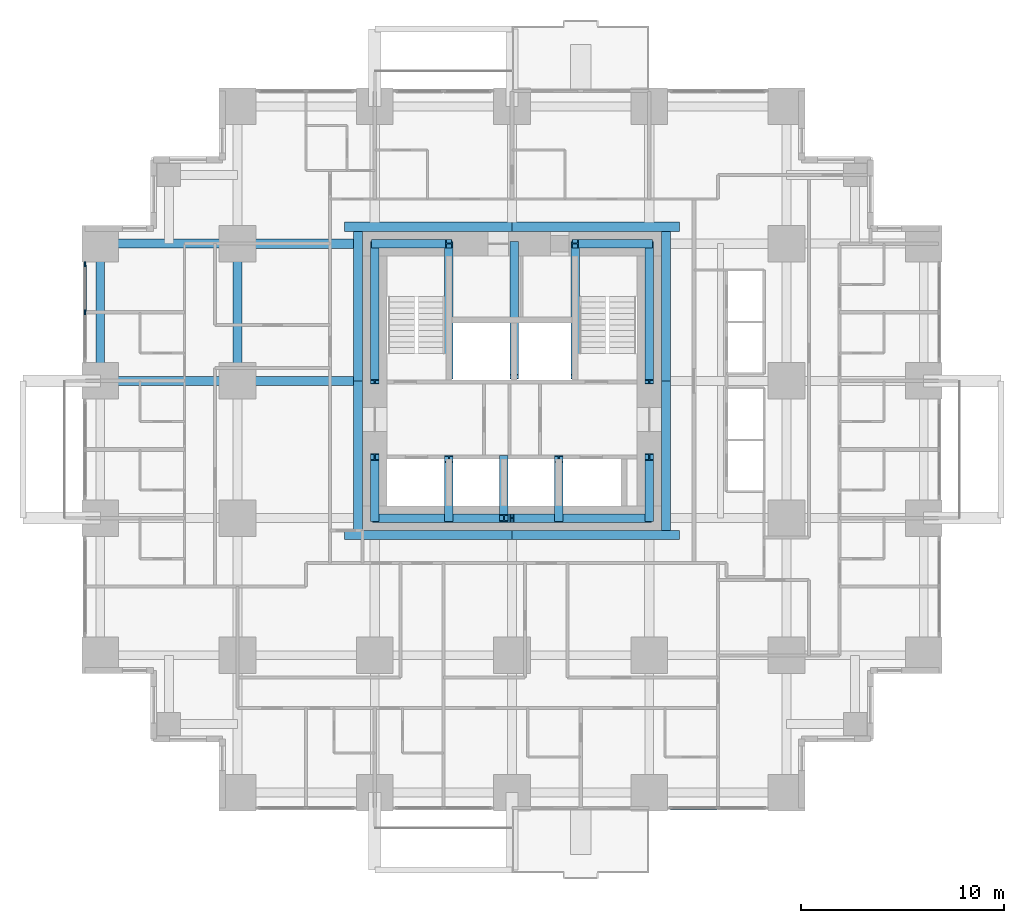
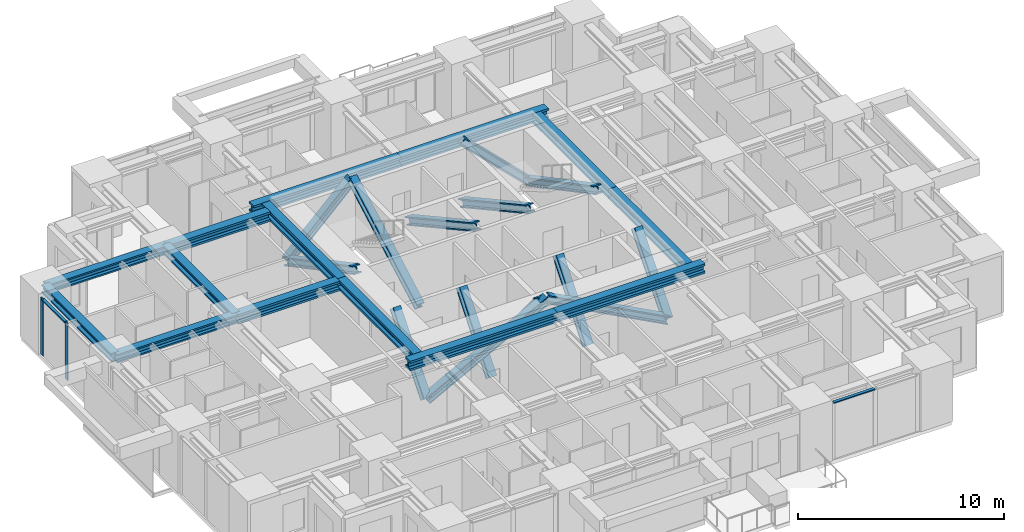
# One storey, part 3 of 12: 18 members, 14 beams, 2 elements without a shape of their own.
"""IFC4 building model written with IfcOpenShell, lengths in metres."""

from ifc_helpers import new_model, si_unit, direction, frame, origin, origin_2d, place, context, subcontext, project, spatial, rectangle, i_section, extrude, material, material_profile, profile_set, type_object, element, aggregate, save


model = new_model("IFC4")

# Units and contexts
model_context = context("Model", 3, precision=1e-05, world=origin(), true_north=direction((0.0, 1.0)))
body_context = subcontext(model_context, "Body", "Model", "MODEL_VIEW")
ifc_project = project(units=[si_unit("LENGTHUNIT", "METRE"), si_unit("AREAUNIT", "SQUARE_METRE"), si_unit("VOLUMEUNIT", "CUBIC_METRE"), si_unit("PLANEANGLEUNIT", "RADIAN"), si_unit("MASSUNIT", "GRAM", prefix="KILO")], contexts=[model_context])

# Site, building, storey
site_placement = place(None, origin())
site = spatial("IfcSite", under=ifc_project, at=site_placement, CompositionType="ELEMENT")
building_placement = place(site_placement, origin())
building = spatial("IfcBuilding", under=site, at=building_placement, Name="Nyansa Garden Tower", CompositionType="ELEMENT")
storey_placement = place(building_placement, frame((0.0, 0.0, 98.10009765625)))
storey = spatial("IfcBuildingStorey", under=building, at=storey_placement, Name="L26", CompositionType="ELEMENT", Elevation=98.10009765625)

# Curtain wall, members
ifc_material_1 = material(Name="Black anodised aluminium, dark tinted double glazing", Category="aluminium")
curtain_wall_type = type_object("IfcCurtainWallType", Name="Inner skin curtain wall ISW-B", PredefinedType="USERDEFINED", material=ifc_material_1)
curtain_wall_1_placement = place(storey_placement, origin())
curtain_wall_1 = element("IfcCurtainWall", 1, at=curtain_wall_1_placement, inside=storey, type_object=curtain_wall_type, Name="Inner skin curtain wall L26 W", ObjectType="UNITISED CURTAIN WALL", PredefinedType="USERDEFINED")
ifc_material_2 = material(Name="Black anodised aluminium", Category="aluminium")
ifc_material_profile_1 = material_profile(ifc_material_2, rectangle(XDim=0.06494140625, YDim=0.22509765625, at=origin_2d()), Name="Mullion 225x65")
ifc_profile_set_1 = profile_set([ifc_material_profile_1], Name="Black anodised aluminium")
member_type_1 = type_object("IfcMemberType", Name="Mullion ISW-B 225x65", PredefinedType="MULLION", material=ifc_profile_set_1)
member_1_placement = place(storey_placement, frame((-0.75, 25.987548828125, 0.0), z_axis=(0.0, 0.0, 1.0), x_axis=(1.0, 0.0, 0.0)))
member_1 = element("IfcMember", 2, at=member_1_placement, type_object=member_type_1, Name="ISW-B mullion 1", PredefinedType="MULLION", context=body_context, shape_type="SweptSolid", body=[
    extrude(rectangle(XDim=0.06494140625, YDim=0.22509765625, at=origin_2d()), origin(), (0.0, 0.0, 1.0), 3.375),
])
member_2_placement = place(storey_placement, frame((-0.75, 23.625, 0.0), z_axis=(0.0, 0.0, 1.0), x_axis=(1.0, 0.0, 0.0)))
member_2 = element("IfcMember", 3, at=member_2_placement, type_object=member_type_1, Name="ISW-B mullion 2", PredefinedType="MULLION", context=body_context, shape_type="SweptSolid", body=[
    extrude(rectangle(XDim=0.06494140625, YDim=0.22509765625, at=origin_2d()), origin(), (0.0, 0.0, 1.0), 3.375),
])

# Members
ifc_material_3 = material(Name="Steel S355", Category="steel")
ifc_material_profile_2 = material_profile(ifc_material_3, i_section(OverallWidth=0.41796875, OverallDepth=0.455078125, WebThickness=0.0419921875, FlangeThickness=0.067626953125, FilletRadius=0.014892578125, at=origin_2d()), Name="HD 400x463")
ifc_profile_set_2 = profile_set([ifc_material_profile_2], Name="Steel S355")
member_type_2 = type_object("IfcMemberType", Name="Perimeter brace HD 400x463", PredefinedType="BRACE", material=ifc_profile_set_2)
for number, where, z_axis, x_axis, name in (
    (4, (13.5, 13.5, 0.0), (0.882360891967, 0.0, 0.470573327259), (0.0, 1.0, 0.0), "Core brace CS1 L26"),
    (5, (27.0, 13.5, 0.0), (-0.882360891967, 0.0, 0.470573327259), (0.0, -1.0, 0.0), "Core brace CS2 L26"),
):
    element("IfcMember", number, at=place(storey_placement, frame(where, z_axis=z_axis, x_axis=x_axis)), inside=storey, type_object=member_type_2, Name=name, PredefinedType="BRACE", context=body_context, shape_type="SweptSolid", body=[
        extrude(i_section(OverallWidth=0.41796875, OverallDepth=0.455078125, WebThickness=0.0419921875, FlangeThickness=0.067626953125, FilletRadius=0.014892578125, at=origin_2d()), origin(), (0.0, 0.0, 1.0), 7.64990234375),
    ])
for number, where, z_axis, x_axis, name in (
    (6, (13.5, 27.0, 0.0), (0.711971340796, 0.0, 0.702208523079), (0.0, 1.0, 0.0), "Core brace CN3 L26"),
    (7, (27.0, 27.0, 0.0), (-0.711971340796, 0.0, 0.702208523079), (0.0, -1.0, 0.0), "Core brace CN4 L26"),
):
    element("IfcMember", number, at=place(storey_placement, frame(where, z_axis=z_axis, x_axis=x_axis)), inside=storey, type_object=member_type_2, Name=name, PredefinedType="BRACE", context=body_context, shape_type="SweptSolid", body=[
        extrude(i_section(OverallWidth=0.41796875, OverallDepth=0.455078125, WebThickness=0.0419921875, FlangeThickness=0.067626953125, FilletRadius=0.014892578125, at=origin_2d()), origin(), (0.0, 0.0, 1.0), 5.12646484375),
    ])
member_3_placement = place(storey_placement, frame((13.5, 13.5, 0.0), z_axis=(0.0, 0.640199773186, 0.768208468069), x_axis=(-1.0, 0.0, 0.0)))
element("IfcMember", 8, at=member_3_placement, inside=storey, type_object=member_type_2, Name="Core brace CW5 L26", PredefinedType="BRACE", context=body_context, shape_type="SweptSolid", body=[
    extrude(i_section(OverallWidth=0.41796875, OverallDepth=0.455078125, WebThickness=0.0419921875, FlangeThickness=0.067626953125, FilletRadius=0.014892578125, at=origin_2d()), origin(), (0.0, 0.0, 1.0), 4.68603515625),
])
member_4_placement = place(storey_placement, frame((13.5, 27.0, 0.0), z_axis=(0.0, -0.883797178129, 0.467870225524), x_axis=(1.0, 0.0, 0.0)))
element("IfcMember", 9, at=member_4_placement, inside=storey, type_object=member_type_2, Name="Core brace CW6 L26", PredefinedType="BRACE", context=body_context, shape_type="SweptSolid", body=[
    extrude(i_section(OverallWidth=0.41796875, OverallDepth=0.455078125, WebThickness=0.0419921875, FlangeThickness=0.067626953125, FilletRadius=0.014892578125, at=origin_2d()), origin(), (0.0, 0.0, 1.0), 7.694091796875),
])
member_5_placement = place(storey_placement, frame((27.0, 13.5, 0.0), z_axis=(0.0, 0.640199773186, 0.768208468069), x_axis=(-1.0, 0.0, 0.0)))
element("IfcMember", 10, at=member_5_placement, inside=storey, type_object=member_type_2, Name="Core brace CE7 L26", PredefinedType="BRACE", context=body_context, shape_type="SweptSolid", body=[
    extrude(i_section(OverallWidth=0.41796875, OverallDepth=0.455078125, WebThickness=0.0419921875, FlangeThickness=0.067626953125, FilletRadius=0.014892578125, at=origin_2d()), origin(), (0.0, 0.0, 1.0), 4.68603515625),
])
member_6_placement = place(storey_placement, frame((27.0, 27.0, 0.0), z_axis=(0.0, -0.883797178129, 0.467870225524), x_axis=(1.0, 0.0, 0.0)))
element("IfcMember", 11, at=member_6_placement, inside=storey, type_object=member_type_2, Name="Core brace CE8 L26", PredefinedType="BRACE", context=body_context, shape_type="SweptSolid", body=[
    extrude(i_section(OverallWidth=0.41796875, OverallDepth=0.455078125, WebThickness=0.0419921875, FlangeThickness=0.067626953125, FilletRadius=0.014892578125, at=origin_2d()), origin(), (0.0, 0.0, 1.0), 7.694091796875),
])
for number, where, z_axis, x_axis, name in (
    (12, (17.14990234375, 20.449951171875, 0.0), (0.0, 0.876366901673, 0.481644115143), (-1.0, 0.0, 0.0), "Core brace CWS9 L26"),
    (13, (23.35009765625, 27.0, 0.0), (0.0, -0.876366901673, 0.481644115143), (1.0, 0.0, 0.0), "Core brace CES10 L26"),
):
    element("IfcMember", number, at=place(storey_placement, frame(where, z_axis=z_axis, x_axis=x_axis)), inside=storey, type_object=member_type_2, Name=name, PredefinedType="BRACE", context=body_context, shape_type="SweptSolid", body=[
        extrude(i_section(OverallWidth=0.41796875, OverallDepth=0.455078125, WebThickness=0.0419921875, FlangeThickness=0.067626953125, FilletRadius=0.014892578125, at=origin_2d()), origin(), (0.0, 0.0, 1.0), 7.47412109375),
    ])
for number, where, z_axis, x_axis, name in (
    (14, (17.14990234375, 13.5, 0.0), (0.0, 0.627332207022, 0.778751758928), (-1.0, 0.0, 0.0), "Core brace CSW11 L26"),
    (15, (19.85009765625, 16.39990234375, 0.0), (0.0, -0.627332207022, 0.778751758928), (1.0, 0.0, 0.0), "Core brace CSW12 L26"),
    (16, (22.550048828125, 13.5, 0.0), (0.0, 0.627332207022, 0.778751758928), (-1.0, 0.0, 0.0), "Core brace CSW13 L26"),
):
    element("IfcMember", number, at=place(storey_placement, frame(where, z_axis=z_axis, x_axis=x_axis)), inside=storey, type_object=member_type_2, Name=name, PredefinedType="BRACE", context=body_context, shape_type="SweptSolid", body=[
        extrude(i_section(OverallWidth=0.41796875, OverallDepth=0.455078125, WebThickness=0.0419921875, FlangeThickness=0.067626953125, FilletRadius=0.014892578125, at=origin_2d()), origin(), (0.0, 0.0, 1.0), 4.62255859375),
    ])
member_7_placement = place(storey_placement, frame((20.35009765625, 27.0, 0.0), z_axis=(0.0, -0.876366901673, 0.481644115143), x_axis=(1.0, 0.0, 0.0)))
element("IfcMember", 17, at=member_7_placement, inside=storey, type_object=member_type_2, Name="Core brace CNW14 L26", PredefinedType="BRACE", context=body_context, shape_type="SweptSolid", body=[
    extrude(i_section(OverallWidth=0.41796875, OverallDepth=0.455078125, WebThickness=0.0419921875, FlangeThickness=0.067626953125, FilletRadius=0.014892578125, at=origin_2d()), origin(), (0.0, 0.0, 1.0), 7.47412109375),
])

# Beams
ifc_material_4 = material(Name="Steel S355", Category="steel")
ifc_material_profile_3 = material_profile(ifc_material_4, i_section(OverallWidth=0.431884765625, OverallDepth=0.498046875, WebThickness=0.0556640625, FlangeThickness=0.0888671875, FilletRadius=0.014892578125, at=origin_2d()), Name="HD 400x744")
ifc_profile_set_3 = profile_set([ifc_material_profile_3], Name="Steel S355")
beam_type_1 = type_object("IfcBeamType", Name="Steel beam SBB1-744 HD 400x744", PredefinedType="BEAM", material=ifc_profile_set_3)
for number, where, z_axis, x_axis, name in (
    (18, (0.0, 20.25, 3.1259765625), (1.0, 0.0, 0.0), (0.0, 1.0, 0.0), "Steel beam 2/G-3/G L27"),
    (19, (0.0, 27.0, 3.1259765625), (1.0, 0.0, 0.0), (0.0, 1.0, 0.0), "Steel beam 2/H-3/H L27"),
    (20, (6.75, 20.25, 3.1259765625), (0.0, 1.0, 0.0), (-1.0, 0.0, 0.0), "Steel beam 3/G-3/H L27"),
):
    element("IfcBeam", number, at=place(storey_placement, frame(where, z_axis=z_axis, x_axis=x_axis)), inside=storey, type_object=beam_type_1, Name=name, PredefinedType="BEAM", context=body_context, shape_type="SweptSolid", body=[
        extrude(i_section(OverallWidth=0.431884765625, OverallDepth=0.498046875, WebThickness=0.0556640625, FlangeThickness=0.0888671875, FilletRadius=0.014892578125, at=origin_2d()), origin(), (0.0, 0.0, 1.0), 6.75),
    ])
ifc_material_5 = material(Name="Steel S355", Category="steel")
ifc_material_profile_4 = material_profile(ifc_material_5, i_section(OverallWidth=0.4541015625, OverallDepth=0.569091796875, WebThickness=0.077880859375, FlangeThickness=0.125, FilletRadius=0.014892578125, at=origin_2d()), Name="HD 400x1086")
ifc_profile_set_4 = profile_set([ifc_material_profile_4], Name="Steel S355")
beam_type_2 = type_object("IfcBeamType", Name="Steel beam SCL-1086 HD 400x1086", PredefinedType="BEAM", material=ifc_profile_set_4)
for number, where, z_axis, x_axis, name in (
    (21, (6.75, 20.25, 3.09033203125), (1.0, 0.0, 0.0), (0.0, 1.0, 0.0), "Steel beam 3/G-12.450/G L27"),
    (22, (6.75, 27.0, 3.09033203125), (1.0, 0.0, 0.0), (0.0, 1.0, 0.0), "Steel beam 3/H-12.450/H L27"),
):
    element("IfcBeam", number, at=place(storey_placement, frame(where, z_axis=z_axis, x_axis=x_axis)), inside=storey, type_object=beam_type_2, Name=name, PredefinedType="BEAM", context=body_context, shape_type="SweptSolid", body=[
        extrude(i_section(OverallWidth=0.4541015625, OverallDepth=0.569091796875, WebThickness=0.077880859375, FlangeThickness=0.125, FilletRadius=0.014892578125, at=origin_2d()), origin(), (0.0, 0.0, 1.0), 5.699951171875),
    ])
for number, where, z_axis, x_axis, name in (
    (23, (12.0, 12.673095703125, 3.09033203125), (1.0, 0.0, 0.0), (0.0, 1.0, 0.0), "Steel core ledger beam S.1 L27"),
    (24, (20.25, 12.673095703125, 3.09033203125), (1.0, 0.0, 0.0), (0.0, 1.0, 0.0), "Steel core ledger beam S.2 L27"),
):
    element("IfcBeam", number, at=place(storey_placement, frame(where, z_axis=z_axis, x_axis=x_axis)), inside=storey, type_object=beam_type_2, Name=name, PredefinedType="BEAM", context=body_context, shape_type="SweptSolid", body=[
        extrude(i_section(OverallWidth=0.4541015625, OverallDepth=0.569091796875, WebThickness=0.077880859375, FlangeThickness=0.125, FilletRadius=0.014892578125, at=origin_2d()), origin(), (0.0, 0.0, 1.0), 8.25),
    ])
for number, where, z_axis, x_axis, name in (
    (25, (27.826904296875, 12.89990234375, 3.09033203125), (0.0, 1.0, 0.0), (-1.0, 0.0, 0.0), "Steel core ledger beam E.1 L27"),
    (26, (27.826904296875, 20.25, 3.09033203125), (0.0, 1.0, 0.0), (-1.0, 0.0, 0.0), "Steel core ledger beam E.2 L27"),
):
    element("IfcBeam", number, at=place(storey_placement, frame(where, z_axis=z_axis, x_axis=x_axis)), inside=storey, type_object=beam_type_2, Name=name, PredefinedType="BEAM", context=body_context, shape_type="SweptSolid", body=[
        extrude(i_section(OverallWidth=0.4541015625, OverallDepth=0.569091796875, WebThickness=0.077880859375, FlangeThickness=0.125, FilletRadius=0.014892578125, at=origin_2d()), origin(), (0.0, 0.0, 1.0), 7.35009765625),
    ])
for number, where, z_axis, x_axis, name in (
    (27, (28.5, 27.826904296875, 3.09033203125), (-1.0, 0.0, 0.0), (0.0, -1.0, 0.0), "Steel core ledger beam N.1 L27"),
    (28, (20.25, 27.826904296875, 3.09033203125), (-1.0, 0.0, 0.0), (0.0, -1.0, 0.0), "Steel core ledger beam N.2 L27"),
):
    element("IfcBeam", number, at=place(storey_placement, frame(where, z_axis=z_axis, x_axis=x_axis)), inside=storey, type_object=beam_type_2, Name=name, PredefinedType="BEAM", context=body_context, shape_type="SweptSolid", body=[
        extrude(i_section(OverallWidth=0.4541015625, OverallDepth=0.569091796875, WebThickness=0.077880859375, FlangeThickness=0.125, FilletRadius=0.014892578125, at=origin_2d()), origin(), (0.0, 0.0, 1.0), 8.25),
    ])
for number, where, z_axis, x_axis, name in (
    (29, (12.673095703125, 27.60009765625, 3.09033203125), (0.0, -1.0, 0.0), (1.0, 0.0, 0.0), "Steel core ledger beam W.1 L27"),
    (30, (12.673095703125, 20.25, 3.09033203125), (0.0, -1.0, 0.0), (1.0, 0.0, 0.0), "Steel core ledger beam W.2 L27"),
):
    element("IfcBeam", number, at=place(storey_placement, frame(where, z_axis=z_axis, x_axis=x_axis)), inside=storey, type_object=beam_type_2, Name=name, PredefinedType="BEAM", context=body_context, shape_type="SweptSolid", body=[
        extrude(i_section(OverallWidth=0.4541015625, OverallDepth=0.569091796875, WebThickness=0.077880859375, FlangeThickness=0.125, FilletRadius=0.014892578125, at=origin_2d()), origin(), (0.0, 0.0, 1.0), 7.35009765625),
    ])
ifc_material_6 = material(Name="Steel S355", Category="steel")
ifc_material_profile_5 = material_profile(ifc_material_6, i_section(OverallWidth=0.431884765625, OverallDepth=0.498046875, WebThickness=0.0556640625, FlangeThickness=0.0888671875, FilletRadius=0.014892578125, at=origin_2d()), Name="HD 400x744")
ifc_profile_set_5 = profile_set([ifc_material_profile_5], Name="Steel S355")
beam_type_3 = type_object("IfcBeamType", Name="Steel beam SEBB-744 HD 400x744", PredefinedType="BEAM", material=ifc_profile_set_5)
beam_placement = place(storey_placement, frame((0.0, 20.25, 3.1259765625), z_axis=(0.0, 1.0, 0.0), x_axis=(-1.0, 0.0, 0.0)))
element("IfcBeam", 31, at=beam_placement, inside=storey, type_object=beam_type_3, Name="Steel edge beam 2/G-2/H L27", PredefinedType="BEAM", context=body_context, shape_type="SweptSolid", body=[
    extrude(i_section(OverallWidth=0.431884765625, OverallDepth=0.498046875, WebThickness=0.0556640625, FlangeThickness=0.0888671875, FilletRadius=0.014892578125, at=origin_2d()), origin(), (0.0, 0.0, 1.0), 6.75),
])

# Member
ifc_material_7 = material(Name="Black anodised aluminium", Category="aluminium")
ifc_material_profile_6 = material_profile(ifc_material_7, rectangle(XDim=0.1650390625, YDim=0.06494140625, at=origin_2d()), Name="Transom 165x65")
ifc_profile_set_6 = profile_set([ifc_material_profile_6], Name="Black anodised aluminium")
member_type_3 = type_object("IfcMemberType", Name="Transom ISW-B 165x65", PredefinedType="USERDEFINED", material=ifc_profile_set_6)
member_8_placement = place(storey_placement, frame((-0.75, 25.955078125, 3.34228515625), z_axis=(0.0, -1.0, 0.0), x_axis=(1.0, 0.0, 0.0)))
member_8 = element("IfcMember", 32, at=member_8_placement, type_object=member_type_3, Name="ISW-B transom 1", ObjectType="TRANSOM", PredefinedType="USERDEFINED", context=body_context, shape_type="SweptSolid", body=[
    extrude(rectangle(XDim=0.1650390625, YDim=0.06494140625, at=origin_2d()), origin(), (0.0, 0.0, 1.0), 2.297607421875),
])

aggregate(curtain_wall_1, [member_1, member_2, member_8])

# Curtain wall, member
curtain_wall_2_placement = place(storey_placement, origin())
curtain_wall_2 = element("IfcCurtainWall", 33, at=curtain_wall_2_placement, inside=storey, type_object=curtain_wall_type, Name="Inner skin curtain wall L26 S", ObjectType="UNITISED CURTAIN WALL", PredefinedType="USERDEFINED")
member_9_placement = place(storey_placement, frame((28.044921875, -0.75, 3.34228515625), z_axis=(1.0, 0.0, 0.0), x_axis=(0.0, 1.0, 0.0)))
member_9 = element("IfcMember", 34, at=member_9_placement, type_object=member_type_3, Name="ISW-B transom 1", ObjectType="TRANSOM", PredefinedType="USERDEFINED", context=body_context, shape_type="SweptSolid", body=[
    extrude(rectangle(XDim=0.1650390625, YDim=0.06494140625, at=origin_2d()), origin(), (0.0, 0.0, 1.0), 2.297607421875),
])
aggregate(curtain_wall_2, [member_9])

save(model, "model.ifc")
